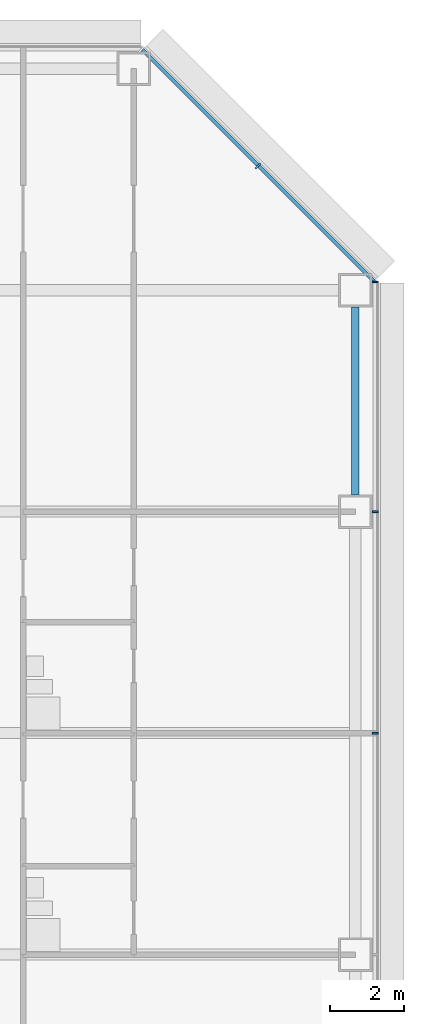
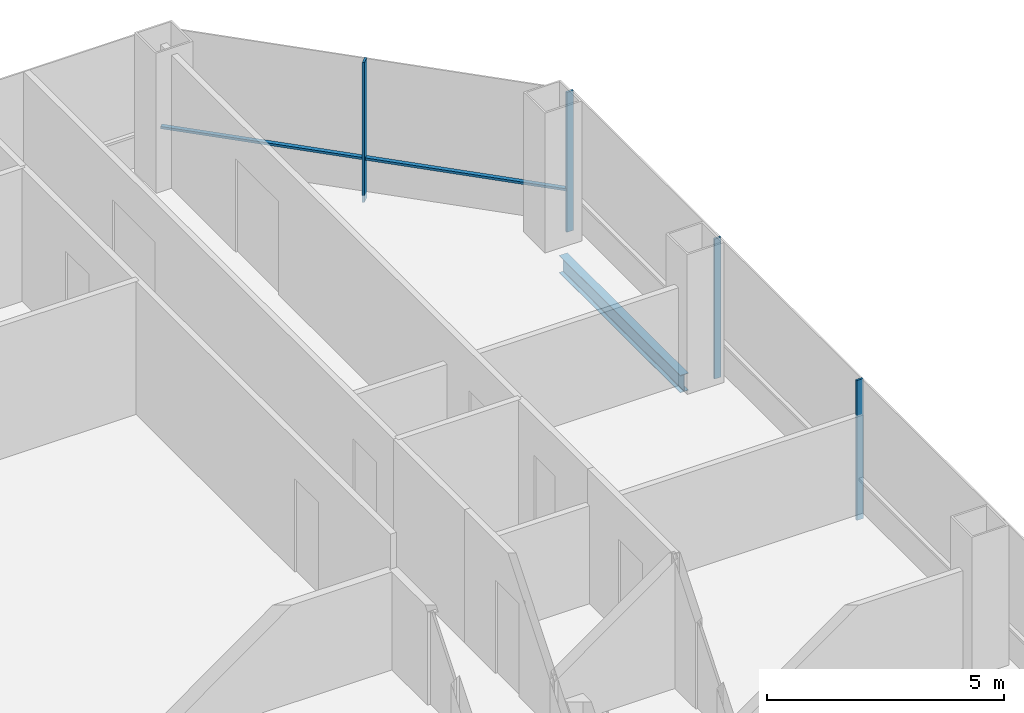
# One storey, part 18 of 26: 5 members, 1 beam, 2 elements without a shape of their own.
"""IFC4 building model written with IfcOpenShell, lengths in metres."""

from ifc_helpers import new_model, si_unit, direction, frame, origin, origin_2d, place, context, subcontext, project, spatial, rectangle, i_section, extrude, material, material_profile, profile_set, type_object, element, aggregate, save


model = new_model("IFC4")

# Units and contexts
model_context = context("Model", 3, precision=1e-05, world=origin(), true_north=direction((0.0, 1.0)))
body_context = subcontext(model_context, "Body", "Model", "MODEL_VIEW")
ifc_project = project(units=[si_unit("LENGTHUNIT", "METRE"), si_unit("AREAUNIT", "SQUARE_METRE"), si_unit("VOLUMEUNIT", "CUBIC_METRE"), si_unit("PLANEANGLEUNIT", "RADIAN"), si_unit("MASSUNIT", "GRAM", prefix="KILO")], contexts=[model_context])

# Site, building, storey
site_placement = place(None, origin())
site = spatial("IfcSite", under=ifc_project, at=site_placement, CompositionType="ELEMENT")
building_placement = place(site_placement, origin())
building = spatial("IfcBuilding", under=site, at=building_placement, Name="Sorahane Residences", CompositionType="ELEMENT")
storey_placement = place(building_placement, frame((0.0, 0.0, 71.39990234375)))
storey = spatial("IfcBuildingStorey", under=building, at=storey_placement, Name="L14", CompositionType="ELEMENT", Elevation=71.39990234375)

# Curtain wall, members
ifc_material_1 = material(Name="Dark low-e glass and black anodised aluminium", Category="aluminium")
curtain_wall_type_1 = type_object("IfcCurtainWallType", Name="Curtain wall CW-1 Typical unitised wall", PredefinedType="NOTDEFINED", material=ifc_material_1)
curtain_wall_1_placement = place(storey_placement, origin())
curtain_wall_1 = element("IfcCurtainWall", 1, at=curtain_wall_1_placement, inside=storey, type_object=curtain_wall_type_1, Name="CW-1 curtain wall L14 E1", PredefinedType="NOTDEFINED")
ifc_material_2 = material(Name="Black anodised aluminium", Category="aluminium")
ifc_material_profile_1 = material_profile(ifc_material_2, rectangle(XDim=0.159912109375, YDim=0.050048828125, at=origin_2d()), Name="Curtain wall mullion CW-1 black anodised aluminium 50x160")
ifc_profile_set_1 = profile_set([ifc_material_profile_1], Name="Black anodised aluminium")
member_type_1 = type_object("IfcMemberType", Name="Curtain wall mullion CW-1 black anodised aluminium 50x160", PredefinedType="MULLION", material=ifc_profile_set_1)
member_1_placement = place(storey_placement, frame((66.5400390625, 30.0, -0.179931640625), z_axis=(0.0, 0.0, 1.0), x_axis=(1.0, 0.0, 0.0)))
member_1 = element("IfcMember", 2, at=member_1_placement, type_object=member_type_1, Name="CW-1 mullion L14 E1.5", PredefinedType="MULLION", context=body_context, shape_type="SweptSolid", body=[
    extrude(rectangle(XDim=0.159912109375, YDim=0.050048828125, at=origin_2d()), origin(), (0.0, 0.0, 1.0), 3.60009765625),
])
member_2_placement = place(storey_placement, frame((66.5400390625, 36.0, -0.179931640625), z_axis=(0.0, 0.0, 1.0), x_axis=(1.0, 0.0, 0.0)))
member_2 = element("IfcMember", 3, at=member_2_placement, type_object=member_type_1, Name="CW-1 mullion L14 E1.6", PredefinedType="MULLION", context=body_context, shape_type="SweptSolid", body=[
    extrude(rectangle(XDim=0.159912109375, YDim=0.050048828125, at=origin_2d()), origin(), (0.0, 0.0, 1.0), 3.60009765625),
])
member_3_placement = place(storey_placement, frame((66.5400390625, 42.2236328125, -0.179931640625), z_axis=(0.0, 0.0, 1.0), x_axis=(1.0, 0.0, 0.0)))
member_3 = element("IfcMember", 4, at=member_3_placement, type_object=member_type_1, Name="CW-1 mullion L14 E1.7", PredefinedType="MULLION", context=body_context, shape_type="SweptSolid", body=[
    extrude(rectangle(XDim=0.159912109375, YDim=0.050048828125, at=origin_2d()), origin(), (0.0, 0.0, 1.0), 3.60009765625),
])
aggregate(curtain_wall_1, [member_1, member_2, member_3])

ifc_material_3 = material(Name="Dark low-e glass and black anodised aluminium", Category="aluminium")
curtain_wall_type_2 = type_object("IfcCurtainWallType", Name="Curtain wall CW-2 Chamfer unitised wall", PredefinedType="NOTDEFINED", material=ifc_material_3)
curtain_wall_2_placement = place(storey_placement, origin())
curtain_wall_2 = element("IfcCurtainWall", 5, at=curtain_wall_2_placement, inside=storey, type_object=curtain_wall_type_2, Name="CW-2 curtain wall L14 NE1", PredefinedType="NOTDEFINED")
ifc_material_4 = material(Name="Black anodised aluminium", Category="aluminium")
ifc_material_profile_2 = material_profile(ifc_material_4, rectangle(XDim=0.199951171875, YDim=0.050048828125, at=origin_2d()), Name="Curtain wall mullion CW-2 black anodised aluminium 50x200")
ifc_profile_set_2 = profile_set([ifc_material_profile_2], Name="Black anodised aluminium")
member_type_2 = type_object("IfcMemberType", Name="Curtain wall mullion CW-2 black anodised aluminium 50x200", PredefinedType="MULLION", material=ifc_profile_set_2)
member_4_placement = place(storey_placement, frame((63.36767578125, 45.36767578125, -0.179931640625), z_axis=(0.0, 0.0, 1.0), x_axis=(0.707106781187, 0.707106781187, 0.0)))
member_4 = element("IfcMember", 6, at=member_4_placement, type_object=member_type_2, Name="CW-2 mullion L14 NE1.2", PredefinedType="MULLION", context=body_context, shape_type="SweptSolid", body=[
    extrude(rectangle(XDim=0.199951171875, YDim=0.050048828125, at=origin_2d()), origin(), (0.0, 0.0, 1.0), 3.60009765625),
])
ifc_material_5 = material(Name="Black anodised aluminium", Category="aluminium")
ifc_material_profile_3 = material_profile(ifc_material_5, rectangle(XDim=0.10009765625, YDim=0.06005859375, at=origin_2d()), Name="Curtain wall transom CW-2 black anodised aluminium 60x100")
ifc_profile_set_3 = profile_set([ifc_material_profile_3], Name="Black anodised aluminium")
member_type_3 = type_object("IfcMemberType", Name="Curtain wall transom CW-2 black anodised aluminium 60x100", PredefinedType="USERDEFINED", material=ifc_profile_set_3)
member_5_placement = place(storey_placement, frame((66.51513671875, 42.234375, 0.900146484375), z_axis=(-0.707106781187, 0.707106781187, 0.0), x_axis=(-0.707106781187, -0.707106781187, 0.0)))
member_5 = element("IfcMember", 7, at=member_5_placement, type_object=member_type_3, Name="CW-2 transom L14 NE1", ObjectType="TRANSOM", PredefinedType="USERDEFINED", context=body_context, shape_type="SweptSolid", body=[
    extrude(rectangle(XDim=0.10009765625, YDim=0.06005859375, at=origin_2d()), origin(), (0.0, 0.0, 1.0), 8.88232421875),
])
aggregate(curtain_wall_2, [member_4, member_5])

# Beam
ifc_material_6 = material(Name="Steel Q355B", Category="steel")
ifc_material_profile_4 = material_profile(ifc_material_6, i_section(OverallWidth=0.199951171875, OverallDepth=0.449951171875, WebThickness=0.009033203125, FlangeThickness=0.013916015625, FilletRadius=0.02001953125, at=origin_2d()), Name="HN 450x200x9x14")
ifc_profile_set_4 = profile_set([ifc_material_profile_4], Name="Steel Q355B")
beam_type = type_object("IfcBeamType", Name="Steel floor beam HN 450x200x9x14 Q355B", PredefinedType="BEAM", material=ifc_profile_set_4)
beam_placement = place(storey_placement, frame((66.0, 36.449951171875, -0.40478515625), z_axis=(0.0, 1.0, 0.0), x_axis=(-1.0, 0.0, 0.0)))
element("IfcBeam", 8, at=beam_placement, inside=storey, type_object=beam_type, Name="Beam L14 060", PredefinedType="BEAM", context=body_context, shape_type="SweptSolid", body=[
    extrude(i_section(OverallWidth=0.199951171875, OverallDepth=0.449951171875, WebThickness=0.009033203125, FlangeThickness=0.013916015625, FilletRadius=0.02001953125, at=origin_2d()), origin(), (0.0, 0.0, 1.0), 5.10009765625),
])

save(model, "model.ifc")
